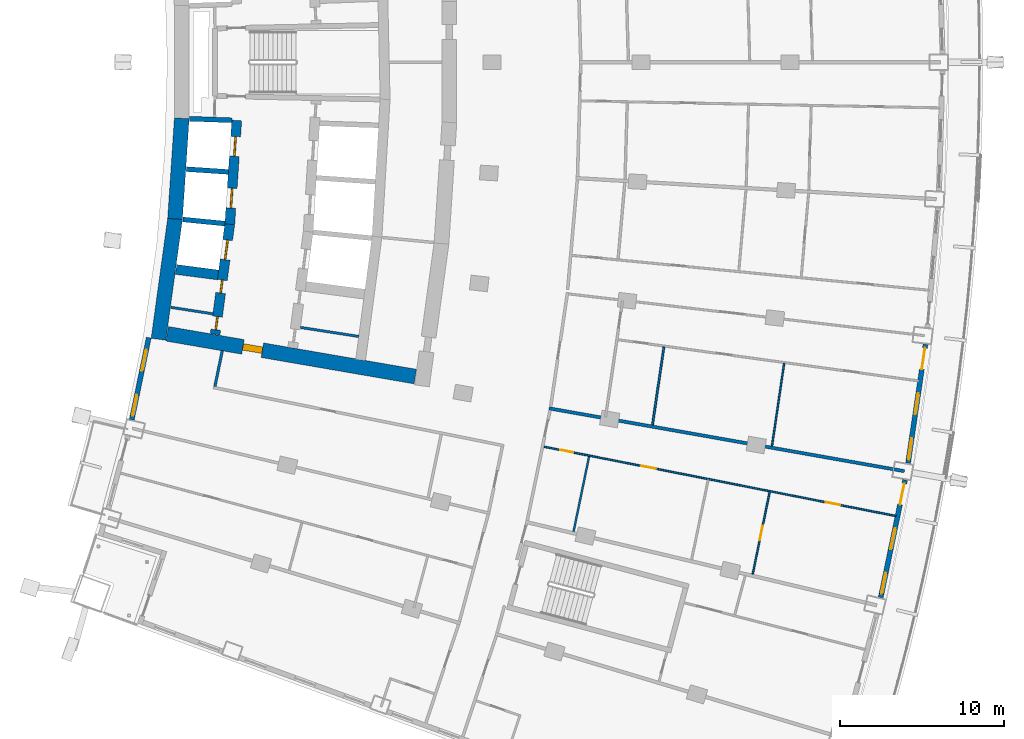
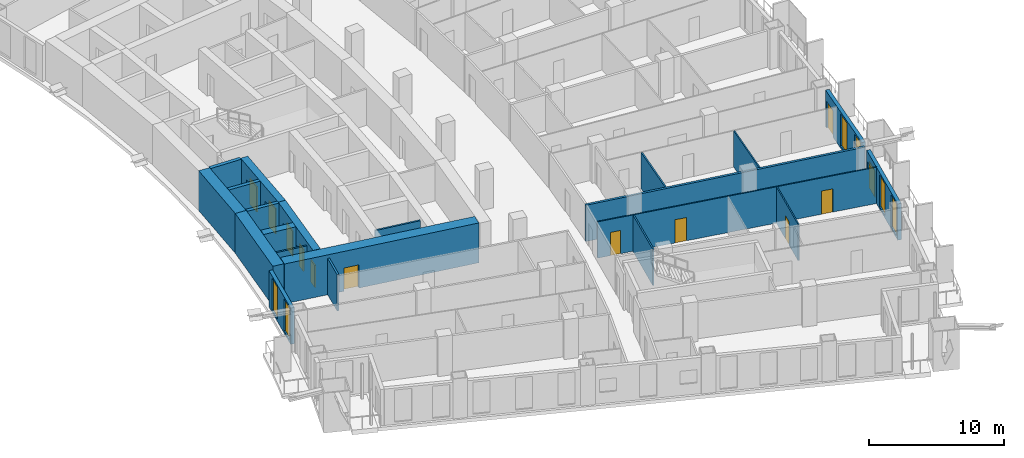
# One storey, part 12 of 22: 21 walls, 12 doors, 6 windows, 18 openings.
"""IFC4 building model written with IfcOpenShell, lengths in metres."""

import ifcopenshell
import ifcopenshell.guid

model = None  # the IFC model being written
_history = None  # IfcOwnerHistory: only IFC2X3 demands one
_inside = {}  # id of a spatial element -> (the spatial element, [elements in it])
_under = {}  # id of a project, library or spatial element -> (it, [spatial elements below it])
_declared = {}  # id of a project -> (the project, [libraries it declares])
_typed = {}  # id of a type object -> (the type object, [elements of that type])
_made_of = {}  # id of a material, layer set ... -> (it, [elements and type objects made of it])


def new_model(schema):
    """Start an empty IFC model of exactly this schema.

    Asked for "IFC4X3", IfcOpenShell would pick the latest addendum, in which some entities
    have other attributes; the version numbers below select the first issue.
    IFC2X3 requires an IfcOwnerHistory on every rooted entity: one is made here for all.
    """
    global model, _history
    if schema == "IFC4X3":
        model = ifcopenshell.file(schema_version=(4, 3, 0, 0))
    else:
        model = ifcopenshell.file(schema=schema)
    _inside.clear()
    _under.clear()
    _declared.clear()
    _typed.clear()
    _made_of.clear()
    _history = None
    if model.schema == "IFC2X3":
        org = make("IfcOrganization", Name="unknown")
        user = make(
            "IfcPersonAndOrganization",
            ThePerson=make("IfcPerson", FamilyName="unknown"),
            TheOrganization=org,
        )
        app = make(
            "IfcApplication",
            ApplicationDeveloper=org,
            Version="unknown",
            ApplicationFullName="unknown",
            ApplicationIdentifier="unknown",
        )
        _history = make(
            "IfcOwnerHistory",
            OwningUser=user,
            OwningApplication=app,
            ChangeAction="ADDED",
            CreationDate=0,
        )
    return model


def make(cls, **values):
    """One entity of the class cls with the attributes given. An attribute that is None is left unset."""
    return model.create_entity(
        cls, **{name: value for name, value in values.items() if value is not None}
    )


def rooted(cls, **values):
    """An entity with a GlobalId (a new one), such as an element, a storey or a relation."""
    return make(cls, GlobalId=ifcopenshell.guid.new(), OwnerHistory=_history, **values)


def si_unit(unit_type, name, prefix=None):
    """IfcSIUnit, for example si_unit("LENGTHUNIT", "METRE", prefix="MILLI")."""
    return make("IfcSIUnit", UnitType=unit_type, Prefix=prefix, Name=name)


def assignment(units):
    """IfcUnitAssignment: the units of a project."""
    return None if units is None else make("IfcUnitAssignment", Units=units)


def point(xyz):
    """IfcCartesianPoint."""
    return None if xyz is None else make("IfcCartesianPoint", Coordinates=xyz)


def direction(xyz):
    """IfcDirection."""
    return None if xyz is None else make("IfcDirection", DirectionRatios=xyz)


def frame(location, z_axis=None, x_axis=None):
    """IfcAxis2Placement3D, a coordinate frame: its origin and axes. An axis left out is left unset."""
    return make(
        "IfcAxis2Placement3D",
        Location=point(location),
        Axis=direction(z_axis),
        RefDirection=direction(x_axis),
    )


def frame_2d(location, x_axis=None):
    """IfcAxis2Placement2D, a coordinate frame in the plane: its origin and x axis."""
    return make(
        "IfcAxis2Placement2D", Location=point(location), RefDirection=direction(x_axis)
    )


def origin():
    """The frame at (0, 0, 0) with its axes left unset."""
    return frame((0.0, 0.0, 0.0))


def place(relative_to, where):
    """IfcLocalPlacement: puts the frame where relative to a parent placement (None: the world)."""
    return make(
        "IfcLocalPlacement", PlacementRelTo=relative_to, RelativePlacement=where
    )


def context(
    kind, dimensions, precision=None, world=None, true_north=None, identifier=None
):
    """IfcGeometricRepresentationContext, for example the 3D "Model" context."""
    return make(
        "IfcGeometricRepresentationContext",
        ContextIdentifier=identifier,
        ContextType=kind,
        CoordinateSpaceDimension=dimensions,
        Precision=precision,
        WorldCoordinateSystem=world,
        TrueNorth=true_north,
    )


def subcontext(parent, identifier, kind, view, scale=None):
    """IfcGeometricRepresentationSubContext, for example "Body" below "Model"."""
    return make(
        "IfcGeometricRepresentationSubContext",
        ContextIdentifier=identifier,
        ContextType=kind,
        ParentContext=parent,
        TargetScale=scale,
        TargetView=view,
    )


def project(units=None, contexts=None):
    """IfcProject with its units and contexts."""
    return rooted(
        "IfcProject",
        Name="project",
        RepresentationContexts=contexts,
        UnitsInContext=assignment(units),
    )


def spatial(cls, under=None, at=None, **own):
    """A site, building, storey or space (cls), placed at a placement, below another one or the project."""
    s = rooted(cls, ObjectPlacement=at, **own)
    if under is not None:
        _under.setdefault(under.id(), (under, []))[1].append(s)
    return s


def profile(cls, at=None, kind="AREA", **sizes):
    """A parametric profile (cls). Its sizes go by their IFC names, for example OverallWidth=200.0."""
    return make(cls, ProfileType=kind, Position=at, **sizes)


def rectangle(**sizes):
    """IfcRectangleProfileDef."""
    return profile("IfcRectangleProfileDef", **sizes)


def extrude(swept, where, along, depth):
    """IfcExtrudedAreaSolid: the profile swept, set in the frame where, extruded along a direction by depth."""
    return make(
        "IfcExtrudedAreaSolid",
        SweptArea=swept,
        Position=where,
        ExtrudedDirection=direction(along),
        Depth=depth,
    )


def shape(context_of_items, identifier, shape_type, items):
    """IfcShapeRepresentation: the items that make up one representation, for example the "Body"."""
    return make(
        "IfcShapeRepresentation",
        ContextOfItems=context_of_items,
        RepresentationIdentifier=identifier,
        RepresentationType=shape_type,
        Items=items,
    )


def material(Name=None, Category=None):
    """IfcMaterial."""
    return make("IfcMaterial", Name=Name, Category=Category)


def layer(
    of_material, thickness, ventilated=None, Name=None, Category=None, Priority=None
):
    """IfcMaterialLayer: one layer of a wall or slab, of a material (None: an air gap)."""
    return make(
        "IfcMaterialLayer",
        Material=of_material,
        LayerThickness=thickness,
        IsVentilated=ventilated,
        Name=Name,
        Category=Category,
        Priority=Priority,
    )


def layer_set(layers, Name=None):
    """IfcMaterialLayerSet."""
    return make("IfcMaterialLayerSet", MaterialLayers=layers, LayerSetName=Name)


def made_of(thing, what):
    """Note that an element or type object is made of a material, layer set ...; save() writes the relation."""
    if what is not None:
        _made_of.setdefault(what.id(), (what, []))[1].append(thing)
    return thing


def type_object(cls, material=None, **own):
    """A type object (cls), such as IfcWallType, which elements share."""
    return made_of(rooted(cls, **own), material)


def element(
    cls,
    number,
    at=None,
    inside=None,
    cuts=None,
    type_object=None,
    material=None,
    context=None,
    identifier="Body",
    shape_type=None,
    held_by="IfcProductDefinitionShape",
    body=None,
    shapes=None,
    **own,
):
    """One element of the class cls, such as IfcWall. Its Tag is "e" and its number.

    at: its placement. inside: the storey or other place that contains it. cuts: it is an
    opening in that element (IfcRelVoidsElement). A single representation is given by context,
    identifier, shape_type and body (its items); several are given by shapes. held_by: the class
    of the entity that holds the representations. save() writes the other relations.
    """
    e = rooted(cls, Tag="e%d" % number, ObjectPlacement=at, **own)
    if body is not None:
        shapes = [shape(context, identifier, shape_type, body)]
    if shapes is not None:
        e.Representation = make(held_by, Representations=shapes)
    if inside is not None:
        _inside.setdefault(inside.id(), (inside, []))[1].append(e)
    if cuts is not None:
        rooted(
            "IfcRelVoidsElement", RelatingBuildingElement=cuts, RelatedOpeningElement=e
        )
    if type_object is not None:
        _typed.setdefault(type_object.id(), (type_object, []))[1].append(e)
    return made_of(e, material)


def fill(opening, filler):
    """IfcRelFillsElement: the door or window that sits in an opening."""
    return rooted(
        "IfcRelFillsElement",
        RelatingOpeningElement=opening,
        RelatedBuildingElement=filler,
    )


def aggregate(whole, parts):
    """IfcRelAggregates: a whole, such as a stair, and the parts it consists of."""
    return rooted("IfcRelAggregates", RelatingObject=whole, RelatedObjects=parts)


def save(model, path):
    """Write the relations noted so far, then the file.

    IfcRelAggregates (storeys below a building ...), IfcRelContainedInSpatialStructure (elements
    in a storey), IfcRelDefinesByType, IfcRelAssociatesMaterial and IfcRelDeclares: one each for
    every whole, place, type object, material and project.
    """
    for whole, parts in _under.values():
        aggregate(whole, parts)
    for where, things in _inside.values():
        rooted(
            "IfcRelContainedInSpatialStructure",
            RelatedElements=things,
            RelatingStructure=where,
        )
    for kind, things in _typed.values():
        rooted("IfcRelDefinesByType", RelatedObjects=things, RelatingType=kind)
    for what, things in _made_of.values():
        rooted("IfcRelAssociatesMaterial", RelatedObjects=things, RelatingMaterial=what)
    for by, libraries in _declared.values():
        rooted("IfcRelDeclares", RelatingContext=by, RelatedDefinitions=libraries)
    model.write(path)


model = new_model("IFC4")

# Units and contexts
model_context = context("Model", 3, precision=1e-05, world=origin(), true_north=direction((0.0, 1.0)))
body_context = subcontext(model_context, "Body", "Model", "MODEL_VIEW")
ifc_project = project(units=[si_unit("LENGTHUNIT", "METRE"), si_unit("AREAUNIT", "SQUARE_METRE"), si_unit("VOLUMEUNIT", "CUBIC_METRE"), si_unit("PLANEANGLEUNIT", "RADIAN"), si_unit("MASSUNIT", "GRAM", prefix="KILO")], contexts=[model_context])

# Site, building, storey
site_placement = place(None, origin())
site = spatial("IfcSite", under=ifc_project, at=site_placement, CompositionType="ELEMENT")
building_placement = place(site_placement, origin())
building = spatial("IfcBuilding", under=site, at=building_placement, Name="Alderwake Tower", CompositionType="ELEMENT")
storey_placement = place(building_placement, frame((0.0, 0.0, 50.0)))
storey = spatial("IfcBuildingStorey", under=building, at=storey_placement, Name="L11", CompositionType="ELEMENT", Elevation=50.0)

# Walls
ifc_material_1 = material(Name="Gypsum shaft wall system, rated")
ifc_layer_1 = layer(ifc_material_1, 0.14990234375)
ifc_layer_set_1 = layer_set([ifc_layer_1], Name="Core room partition 150")
wall_type_1 = type_object("IfcWallType", Name="Core room partition 150", PredefinedType="PARTITIONING", material=ifc_layer_set_1)
wall_1_placement = place(storey_placement, frame((16.2216796875, 46.0673828125, 0.0), z_axis=(0.0, 0.0, 1.0), x_axis=(0.988167260949, -0.153380130356, 0.0)))
element("IfcWall", 1, at=wall_1_placement, inside=storey, type_object=wall_type_1, Name="CW/L11/PR-161_+0", PredefinedType="PARTITIONING", context=body_context, shape_type="SweptSolid", body=[
    extrude(rectangle(XDim=2.593017578125, YDim=0.14990234375, at=frame_2d((1.29638671875, 0.0))), origin(), (0.0, 0.0, 1.0), 3.280029296875),
])
wall_2_placement = place(storey_placement, frame((24.117431640625, 44.842041015625, 0.0), z_axis=(0.0, 0.0, 1.0), x_axis=(0.988173903359, -0.153337329832, 0.0)))
element("IfcWall", 2, at=wall_2_placement, inside=storey, type_object=wall_type_1, Name="CW/L11/PR-161_+86", PredefinedType="PARTITIONING", context=body_context, shape_type="SweptSolid", body=[
    extrude(rectangle(XDim=3.5966796875, YDim=0.14990234375, at=frame_2d((1.79833984375, 0.0))), origin(), (0.0, 0.0, 1.0), 3.280029296875),
])
ifc_material_2 = material(Name="Concrete C70/85", Category="concrete")
ifc_layer_2 = layer(ifc_material_2, 0.89990234375)
ifc_layer_set_2 = layer_set([ifc_layer_2], Name="Core wall outer 900 C70-85")
wall_type_2 = type_object("IfcWallType", Name="Core wall outer 900 C70-85", PredefinedType="SHEAR", material=ifc_layer_set_2)
wall_3_placement = place(storey_placement, frame((15.46923828125, 44.1201171875, 0.0), z_axis=(0.0, 0.0, 1.0), x_axis=(0.136337234661, 0.990662484626, 0.0)))
element("IfcWall", 3, at=wall_3_placement, inside=storey, type_object=wall_type_2, Name="Core wall CW.042", PredefinedType="SHEAR", context=body_context, shape_type="SweptSolid", body=[
    extrude(rectangle(XDim=7.431396484375, YDim=0.89990234375, at=frame_2d((3.7158203125, 0.0))), origin(), (0.0, 0.0, 1.0), 3.60009765625),
])
wall_4_placement = place(storey_placement, frame((16.47900390625, 51.449951171875, 0.0), z_axis=(0.0, 0.0, 1.0), x_axis=(0.06689316208, 0.997760143956, 0.0)))
element("IfcWall", 4, at=wall_4_placement, inside=storey, type_object=wall_type_2, Name="Core wall CW.041", PredefinedType="SHEAR", context=body_context, shape_type="SweptSolid", body=[
    extrude(rectangle(XDim=6.149658203125, YDim=0.89990234375, at=frame_2d((3.07470703125, 0.0))), origin(), (0.0, 0.0, 1.0), 3.60009765625),
])

# Wall, opening, door
wall_5_placement = place(storey_placement, frame((31.11328125, 41.846923828125, 0.0), z_axis=(0.0, 0.0, 1.0), x_axis=(-0.985466640605, 0.169869067972, 0.0)))
wall_5 = element("IfcWall", 5, at=wall_5_placement, inside=storey, type_object=wall_type_2, Name="Core wall CW.070", PredefinedType="SHEAR", context=body_context, shape_type="SweptSolid", body=[
    extrude(rectangle(XDim=15.336669921875, YDim=0.89990234375, at=frame_2d((7.66845703125, 0.0))), origin(), (0.0, 0.0, 1.0), 3.60009765625),
])
opening_1_placement = place(wall_5_placement, frame((9.451904296875, 0.0, 0.0)))
opening_1 = element("IfcOpeningElement", 6, at=opening_1_placement, cuts=wall_5, Name="Opening C003", PredefinedType="OPENING", context=body_context, shape_type="SweptSolid", body=[
    extrude(rectangle(XDim=1.199951171875, YDim=2.10009765625, at=frame_2d((0.60009765625, 1.050048828125))), frame((0.0, 0.4599609375, 0.0), z_axis=(0.0, -1.0, 0.0), x_axis=(1.0, 0.0, 0.0)), (0.0, 0.0, 1.0), 0.919921875),
])
ifc_material_3 = material(Name="Steel-framed fire door leaf", Category="steel")
door_type_1 = type_object("IfcDoorType", Name="Core lobby exit door 1200 fire-rated", OperationType="SINGLE_SWING_LEFT", PredefinedType="DOOR", material=ifc_material_3)
door_1_placement = place(opening_1_placement, origin())
door_1 = element("IfcDoor", 7, at=door_1_placement, inside=storey, type_object=door_type_1, Name="Lobby door", OperationType="SINGLE_SWING_LEFT", OverallHeight=2.10009765625, OverallWidth=1.199951171875, PredefinedType="DOOR", context=body_context, shape_type="SweptSolid", body=[
    extrude(rectangle(XDim=1.199951171875, YDim=2.10009765625, at=frame_2d((0.60009765625, 1.050048828125))), frame((0.0, 0.199951171875, 0.0), z_axis=(0.0, -1.0, 0.0), x_axis=(1.0, 0.0, 0.0)), (0.0, 0.0, 1.0), 0.39990234375),
])
fill(opening_1, door_1)

# Walls
ifc_material_4 = material(Name="Concrete C70/85", Category="concrete")
ifc_layer_3 = layer(ifc_material_4, 0.300048828125)
ifc_layer_set_3 = layer_set([ifc_layer_3], Name="Core wall shaft 300 C70-85")
wall_type_3 = type_object("IfcWallType", Name="Core wall shaft 300 C70-85", PredefinedType="SHEAR", material=ifc_layer_set_3)
wall_6_placement = place(storey_placement, frame((16.9580078125, 51.4189453125, 0.0), z_axis=(0.0, 0.0, 1.0), x_axis=(0.995153154577, -0.098337169657, 0.0)))
element("IfcWall", 8, at=wall_6_placement, inside=storey, type_object=wall_type_3, Name="Core wall CW.065", PredefinedType="SHEAR", context=body_context, shape_type="SweptSolid", body=[
    extrude(rectangle(XDim=2.569580078125, YDim=0.300048828125, at=frame_2d((1.28466796875, 0.0))), origin(), (0.0, 0.0, 1.0), 3.60009765625),
])
wall_7_placement = place(storey_placement, frame((17.16357421875, 54.486083984375, 0.0), z_axis=(0.0, 0.0, 1.0), x_axis=(0.997758581961, -0.066916456292, 0.0)))
element("IfcWall", 9, at=wall_7_placement, inside=storey, type_object=wall_type_3, Name="Core wall CW.079", PredefinedType="SHEAR", context=body_context, shape_type="SweptSolid", body=[
    extrude(rectangle(XDim=2.568603515625, YDim=0.300048828125, at=frame_2d((1.2841796875, 0.0))), origin(), (0.0, 0.0, 1.0), 3.60009765625),
])
wall_8_placement = place(storey_placement, frame((17.369140625, 57.553466796875, 0.0), z_axis=(0.0, 0.0, 1.0), x_axis=(0.99937189907, -0.035437372217, 0.0)))
element("IfcWall", 10, at=wall_8_placement, inside=storey, type_object=wall_type_3, Name="Core wall CW.076", PredefinedType="SHEAR", context=body_context, shape_type="SweptSolid", body=[
    extrude(rectangle(XDim=2.56982421875, YDim=0.300048828125, at=frame_2d((1.284912109375, 0.0))), origin(), (0.0, 0.0, 1.0), 3.60009765625),
])

# Wall, openings, doors
ifc_material_5 = material(Name="Concrete C70/85", Category="concrete")
ifc_layer_4 = layer(ifc_material_5, 0.60009765625)
ifc_layer_set_4 = layer_set([ifc_layer_4], Name="Core wall spine 600 C70-85")
wall_type_4 = type_object("IfcWallType", Name="Core wall spine 600 C70-85", PredefinedType="SHEAR", material=ifc_layer_set_4)
wall_9_placement = place(storey_placement, frame((19.815185546875, 51.14697265625, 0.0), z_axis=(0.0, 0.0, 1.0), x_axis=(-0.131854836214, -0.991269036219, 0.0)))
wall_9 = element("IfcWall", 11, at=wall_9_placement, inside=storey, type_object=wall_type_4, Name="Core wall CW.033", PredefinedType="SHEAR", context=body_context, shape_type="SweptSolid", body=[
    extrude(rectangle(XDim=6.782470703125, YDim=0.60009765625, at=frame_2d((3.39111328125, 0.0))), origin(), (0.0, 0.0, 1.0), 3.60009765625),
])
opening_2_placement = place(wall_9_placement, frame((0.9921875, 0.0, 0.0)))
opening_2 = element("IfcOpeningElement", 12, at=opening_2_placement, cuts=wall_9, Name="Opening LD-LP1", PredefinedType="OPENING", context=body_context, shape_type="SweptSolid", body=[
    extrude(rectangle(XDim=1.199951171875, YDim=2.300048828125, at=frame_2d((0.60009765625, 1.14990234375))), frame((0.0, 0.31005859375, 0.0), z_axis=(0.0, -1.0, 0.0), x_axis=(1.0, 0.0, 0.0)), (0.0, 0.0, 1.0), 0.6201171875),
])
opening_3_placement = place(wall_9_placement, frame((5.699951171875, 0.0, 0.0)))
opening_3 = element("IfcOpeningElement", 13, at=opening_3_placement, cuts=wall_9, Name="Opening C009", PredefinedType="OPENING", context=body_context, shape_type="SweptSolid", body=[
    extrude(rectangle(XDim=0.800048828125, YDim=2.0, at=frame_2d((0.39990234375, 1.0))), frame((0.0, 0.31005859375, 0.0), z_axis=(0.0, -1.0, 0.0), x_axis=(1.0, 0.0, 0.0)), (0.0, 0.0, 1.0), 0.6201171875),
])
opening_4_placement = place(wall_9_placement, frame((3.4462890625, 0.0, 0.0)))
opening_4 = element("IfcOpeningElement", 14, at=opening_4_placement, cuts=wall_9, Name="Opening C010", PredefinedType="OPENING", context=body_context, shape_type="SweptSolid", body=[
    extrude(rectangle(XDim=0.800048828125, YDim=2.0, at=frame_2d((0.39990234375, 1.0))), frame((0.0, 0.31005859375, 0.0), z_axis=(0.0, -1.0, 0.0), x_axis=(1.0, 0.0, 0.0)), (0.0, 0.0, 1.0), 0.6201171875),
])
ifc_material_6 = material(Name="Stainless steel sliding leaf", Category="steel")
door_type_2 = type_object("IfcDoorType", Name="Lift landing door 1200", OperationType="SLIDING_TO_LEFT", PredefinedType="DOOR", material=ifc_material_6)
door_2_placement = place(opening_2_placement, origin())
door_2 = element("IfcDoor", 15, at=door_2_placement, inside=storey, type_object=door_type_2, Name="Lift landing door LP1", OperationType="SLIDING_TO_LEFT", OverallHeight=2.300048828125, OverallWidth=1.199951171875, PredefinedType="DOOR", context=body_context, shape_type="SweptSolid", body=[
    extrude(rectangle(XDim=1.199951171875, YDim=2.300048828125, at=frame_2d((0.60009765625, 1.14990234375))), frame((0.0, 0.050048828125, 0.0), z_axis=(0.0, -1.0, 0.0), x_axis=(1.0, 0.0, 0.0)), (0.0, 0.0, 1.0), 0.10009765625),
])
fill(opening_2, door_2)
ifc_material_7 = material(Name="Painted steel leaf, rated", Category="steel")
door_type_3 = type_object("IfcDoorType", Name="Riser access door 800", OperationType="SINGLE_SWING_LEFT", PredefinedType="DOOR", material=ifc_material_7)
door_3_placement = place(opening_3_placement, origin())
door_3 = element("IfcDoor", 16, at=door_3_placement, inside=storey, type_object=door_type_3, Name="Riser access door", OperationType="SINGLE_SWING_LEFT", OverallHeight=2.0, OverallWidth=0.800048828125, PredefinedType="DOOR", context=body_context, shape_type="SweptSolid", body=[
    extrude(rectangle(XDim=0.800048828125, YDim=2.0, at=frame_2d((0.39990234375, 1.0))), frame((0.0, 0.050048828125, 0.0), z_axis=(0.0, -1.0, 0.0), x_axis=(1.0, 0.0, 0.0)), (0.0, 0.0, 1.0), 0.10009765625),
])
fill(opening_3, door_3)
door_4_placement = place(opening_4_placement, origin())
door_4 = element("IfcDoor", 17, at=door_4_placement, inside=storey, type_object=door_type_3, Name="Riser access door", OperationType="SINGLE_SWING_RIGHT", OverallHeight=2.0, OverallWidth=0.800048828125, PredefinedType="DOOR", context=body_context, shape_type="SweptSolid", body=[
    extrude(rectangle(XDim=0.800048828125, YDim=2.0, at=frame_2d((0.39990234375, 1.0))), frame((0.0, 0.050048828125, 0.0), z_axis=(0.0, -1.0, 0.0), x_axis=(1.0, 0.0, 0.0)), (0.0, 0.0, 1.0), 0.10009765625),
])
fill(opening_4, door_4)

wall_10_placement = place(storey_placement, frame((19.813232421875, 51.12646484375, 0.0), z_axis=(0.0, 0.0, 1.0), x_axis=(0.066892179723, 0.997760209816, 0.0)))
wall_10 = element("IfcWall", 18, at=wall_10_placement, inside=storey, type_object=wall_type_4, Name="Core wall CW.032", PredefinedType="SHEAR", context=body_context, shape_type="SweptSolid", body=[
    extrude(rectangle(XDim=6.339599609375, YDim=0.60009765625, at=frame_2d((3.169921875, 0.0))), origin(), (0.0, 0.0, 1.0), 3.60009765625),
])
opening_5_placement = place(wall_10_placement, frame((0.992431640625, 0.0, 0.0)))
opening_5 = element("IfcOpeningElement", 19, at=opening_5_placement, cuts=wall_10, Name="Opening LD-LP2", PredefinedType="OPENING", context=body_context, shape_type="SweptSolid", body=[
    extrude(rectangle(XDim=1.199951171875, YDim=2.300048828125, at=frame_2d((0.60009765625, 1.14990234375))), frame((0.0, 0.31005859375, 0.0), z_axis=(0.0, -1.0, 0.0), x_axis=(1.0, 0.0, 0.0)), (0.0, 0.0, 1.0), 0.6201171875),
])
opening_6_placement = place(wall_10_placement, frame((4.157470703125, 0.0, 0.0)))
opening_6 = element("IfcOpeningElement", 20, at=opening_6_placement, cuts=wall_10, Name="Opening LD-LP3", PredefinedType="OPENING", context=body_context, shape_type="SweptSolid", body=[
    extrude(rectangle(XDim=1.199951171875, YDim=2.300048828125, at=frame_2d((0.60009765625, 1.14990234375))), frame((0.0, 0.31005859375, 0.0), z_axis=(0.0, -1.0, 0.0), x_axis=(1.0, 0.0, 0.0)), (0.0, 0.0, 1.0), 0.6201171875),
])
door_5_placement = place(opening_5_placement, origin())
door_5 = element("IfcDoor", 21, at=door_5_placement, inside=storey, type_object=door_type_2, Name="Lift landing door LP2", OperationType="SLIDING_TO_LEFT", OverallHeight=2.300048828125, OverallWidth=1.199951171875, PredefinedType="DOOR", context=body_context, shape_type="SweptSolid", body=[
    extrude(rectangle(XDim=1.199951171875, YDim=2.300048828125, at=frame_2d((0.60009765625, 1.14990234375))), frame((0.0, 0.050048828125, 0.0), z_axis=(0.0, -1.0, 0.0), x_axis=(1.0, 0.0, 0.0)), (0.0, 0.0, 1.0), 0.10009765625),
])
fill(opening_5, door_5)
door_6_placement = place(opening_6_placement, origin())
door_6 = element("IfcDoor", 22, at=door_6_placement, inside=storey, type_object=door_type_2, Name="Lift landing door LP3", OperationType="SLIDING_TO_LEFT", OverallHeight=2.300048828125, OverallWidth=1.199951171875, PredefinedType="DOOR", context=body_context, shape_type="SweptSolid", body=[
    extrude(rectangle(XDim=1.199951171875, YDim=2.300048828125, at=frame_2d((0.60009765625, 1.14990234375))), frame((0.0, 0.050048828125, 0.0), z_axis=(0.0, -1.0, 0.0), x_axis=(1.0, 0.0, 0.0)), (0.0, 0.0, 1.0), 0.10009765625),
])
fill(opening_6, door_6)

# Walls
wall_11_placement = place(storey_placement, frame((16.5390625, 48.373291015625, 0.0), z_axis=(0.0, 0.0, 1.0), x_axis=(0.99156081818, -0.129642369037, 0.0)))
element("IfcWall", 23, at=wall_11_placement, inside=storey, type_object=wall_type_4, Name="Core wall CW.067", PredefinedType="SHEAR", context=body_context, shape_type="SweptSolid", body=[
    extrude(rectangle(XDim=2.581787109375, YDim=0.60009765625, at=frame_2d((1.291015625, 0.0))), origin(), (0.0, 0.0, 1.0), 3.60009765625),
])
ifc_material_8 = material(Name="Gypsum board on metal studs, rated")
ifc_layer_5 = layer(ifc_material_8, 0.159912109375)
ifc_layer_set_5 = layer_set([ifc_layer_5], Name="Corridor wall 160")
wall_type_5 = type_object("IfcWallType", Name="Corridor wall 160", PredefinedType="PARTITIONING", material=ifc_layer_set_5)
wall_12_placement = place(storey_placement, frame((19.35888671875, 43.430908203125, 0.0), z_axis=(0.0, 0.0, 1.0), x_axis=(-0.202554916658, -0.979270905183, 0.0)))
element("IfcWall", 24, at=wall_12_placement, inside=storey, type_object=wall_type_5, Name="WL/L11/W17", PredefinedType="PARTITIONING", context=body_context, shape_type="SweptSolid", body=[
    extrude(rectangle(XDim=2.229736328125, YDim=0.159912109375, at=frame_2d((1.11474609375, 0.0))), origin(), (0.0, 0.0, 1.0), 3.280029296875),
])

# Wall, openings, door, windows
ifc_material_9 = material(Name="Precast concrete C50/60 spandrel panel", Category="concrete")
ifc_layer_6 = layer(ifc_material_9, 0.300048828125)
ifc_layer_set_6 = layer_set([ifc_layer_6], Name="External wall EW1 Precast concrete C50/60 spandrel")
wall_type_6 = type_object("IfcWallType", Name="External wall EW1 Precast concrete C50/60 spandrel", PredefinedType="SOLIDWALL", material=ifc_layer_set_6)
wall_13_placement = place(storey_placement, frame((59.474365234375, 28.39111328125, 0.0), z_axis=(0.0, 0.0, 1.0), x_axis=(0.202769138353, 0.979226570581, 0.0)))
wall_13 = element("IfcWall", 25, at=wall_13_placement, inside=storey, type_object=wall_type_6, Name="External wall 13", PredefinedType="SOLIDWALL", context=body_context, shape_type="SweptSolid", body=[
    extrude(rectangle(XDim=7.30615234375, YDim=0.300048828125, at=frame_2d((3.653076171875, 0.0))), origin(), (0.0, 0.0, 1.0), 3.280029296875),
])
opening_7_placement = place(wall_13_placement, frame((0.222900390625, 0.0, 0.199951171875)))
opening_7 = element("IfcOpeningElement", 26, at=opening_7_placement, cuts=wall_13, Name="Opening W1", PredefinedType="OPENING", context=body_context, shape_type="SweptSolid", body=[
    extrude(rectangle(XDim=1.300048828125, YDim=2.89990234375, at=frame_2d((0.64990234375, 1.449951171875))), frame((0.0, 0.159912109375, 0.0), z_axis=(0.0, -1.0, 0.0), x_axis=(1.0, 0.0, 0.0)), (0.0, 0.0, 1.0), 0.320068359375),
])
opening_8_placement = place(wall_13_placement, frame((3.0029296875, 0.0, 0.199951171875)))
opening_8 = element("IfcOpeningElement", 27, at=opening_8_placement, cuts=wall_13, Name="Opening W1", PredefinedType="OPENING", context=body_context, shape_type="SweptSolid", body=[
    extrude(rectangle(XDim=1.300048828125, YDim=2.89990234375, at=frame_2d((0.64990234375, 1.449951171875))), frame((0.0, 0.159912109375, 0.0), z_axis=(0.0, -1.0, 0.0), x_axis=(1.0, 0.0, 0.0)), (0.0, 0.0, 1.0), 0.320068359375),
])
opening_9_placement = place(wall_13_placement, frame((5.783203125, 0.0, 0.0)))
opening_9 = element("IfcOpeningElement", 28, at=opening_9_placement, cuts=wall_13, Name="Opening D04", PredefinedType="OPENING", context=body_context, shape_type="SweptSolid", body=[
    extrude(rectangle(XDim=1.300048828125, YDim=2.39990234375, at=frame_2d((0.64990234375, 1.199951171875))), frame((0.0, 0.159912109375, 0.0), z_axis=(0.0, -1.0, 0.0), x_axis=(1.0, 0.0, 0.0)), (0.0, 0.0, 1.0), 0.320068359375),
])
ifc_material_10 = material(Name="Bronze tinted glass in aluminium frame", Category="aluminium")
door_type_4 = type_object("IfcDoorType", Name="Balcony door BD sliding", OperationType="SLIDING_TO_LEFT", PredefinedType="DOOR", material=ifc_material_10)
door_7_placement = place(opening_9_placement, origin())
door_7 = element("IfcDoor", 29, at=door_7_placement, inside=storey, type_object=door_type_4, Name="Door D04", OperationType="SLIDING_TO_LEFT", OverallHeight=2.39990234375, OverallWidth=1.300048828125, PredefinedType="DOOR", context=body_context, shape_type="SweptSolid", body=[
    extrude(rectangle(XDim=1.300048828125, YDim=2.39990234375, at=frame_2d((0.64990234375, 1.199951171875))), frame((0.0, 0.02490234375, 0.0), z_axis=(0.0, -1.0, 0.0), x_axis=(1.0, 0.0, 0.0)), (0.0, 0.0, 1.0), 0.050048828125),
])
fill(opening_9, door_7)
ifc_material_11 = material(Name="Bronze tinted glass in aluminium frame", Category="aluminium")
window_type = type_object("IfcWindowType", Name="Window W1 tall fixed and vent", PartitioningType="DOUBLE_PANEL_VERTICAL", PredefinedType="WINDOW", material=ifc_material_11)
window_1_placement = place(opening_7_placement, origin())
window_1 = element("IfcWindow", 30, at=window_1_placement, inside=storey, type_object=window_type, Name="Window W1 tall fixed and vent", OverallHeight=2.89990234375, OverallWidth=1.300048828125, PartitioningType="DOUBLE_PANEL_VERTICAL", PredefinedType="WINDOW", context=body_context, shape_type="SweptSolid", body=[
    extrude(rectangle(XDim=1.300048828125, YDim=2.89990234375, at=frame_2d((0.64990234375, 1.449951171875))), frame((0.0, 0.030029296875, 0.0), z_axis=(0.0, -1.0, 0.0), x_axis=(1.0, 0.0, 0.0)), (0.0, 0.0, 1.0), 0.06005859375),
])
fill(opening_7, window_1)
window_2_placement = place(opening_8_placement, origin())
window_2 = element("IfcWindow", 31, at=window_2_placement, inside=storey, type_object=window_type, Name="Window W1 tall fixed and vent", OverallHeight=2.89990234375, OverallWidth=1.300048828125, PartitioningType="DOUBLE_PANEL_VERTICAL", PredefinedType="WINDOW", context=body_context, shape_type="SweptSolid", body=[
    extrude(rectangle(XDim=1.300048828125, YDim=2.89990234375, at=frame_2d((0.64990234375, 1.449951171875))), frame((0.0, 0.030029296875, 0.0), z_axis=(0.0, -1.0, 0.0), x_axis=(1.0, 0.0, 0.0)), (0.0, 0.0, 1.0), 0.06005859375),
])
fill(opening_8, window_2)

wall_14_placement = place(storey_placement, frame((61.13818359375, 36.577880859375, 0.0), z_axis=(0.0, 0.0, 1.0), x_axis=(0.145326596696, 0.989383737633, 0.0)))
wall_14 = element("IfcWall", 32, at=wall_14_placement, inside=storey, type_object=wall_type_6, Name="External wall 14", PredefinedType="SOLIDWALL", context=body_context, shape_type="SweptSolid", body=[
    extrude(rectangle(XDim=7.30615234375, YDim=0.300048828125, at=frame_2d((3.653076171875, 0.0))), origin(), (0.0, 0.0, 1.0), 3.280029296875),
])
opening_10_placement = place(wall_14_placement, frame((0.222900390625, 0.0, 0.199951171875)))
opening_10 = element("IfcOpeningElement", 33, at=opening_10_placement, cuts=wall_14, Name="Opening W1", PredefinedType="OPENING", context=body_context, shape_type="SweptSolid", body=[
    extrude(rectangle(XDim=1.300048828125, YDim=2.89990234375, at=frame_2d((0.64990234375, 1.449951171875))), frame((0.0, 0.159912109375, 0.0), z_axis=(0.0, -1.0, 0.0), x_axis=(1.0, 0.0, 0.0)), (0.0, 0.0, 1.0), 0.320068359375),
])
opening_11_placement = place(wall_14_placement, frame((3.0029296875, 0.0, 0.199951171875)))
opening_11 = element("IfcOpeningElement", 34, at=opening_11_placement, cuts=wall_14, Name="Opening W1", PredefinedType="OPENING", context=body_context, shape_type="SweptSolid", body=[
    extrude(rectangle(XDim=1.300048828125, YDim=2.89990234375, at=frame_2d((0.64990234375, 1.449951171875))), frame((0.0, 0.159912109375, 0.0), z_axis=(0.0, -1.0, 0.0), x_axis=(1.0, 0.0, 0.0)), (0.0, 0.0, 1.0), 0.320068359375),
])
opening_12_placement = place(wall_14_placement, frame((5.783203125, 0.0, 0.0)))
opening_12 = element("IfcOpeningElement", 35, at=opening_12_placement, cuts=wall_14, Name="Opening D05", PredefinedType="OPENING", context=body_context, shape_type="SweptSolid", body=[
    extrude(rectangle(XDim=1.300048828125, YDim=2.39990234375, at=frame_2d((0.64990234375, 1.199951171875))), frame((0.0, 0.159912109375, 0.0), z_axis=(0.0, -1.0, 0.0), x_axis=(1.0, 0.0, 0.0)), (0.0, 0.0, 1.0), 0.320068359375),
])
door_8_placement = place(opening_12_placement, origin())
door_8 = element("IfcDoor", 36, at=door_8_placement, inside=storey, type_object=door_type_4, Name="Door D05", OperationType="SLIDING_TO_LEFT", OverallHeight=2.39990234375, OverallWidth=1.300048828125, PredefinedType="DOOR", context=body_context, shape_type="SweptSolid", body=[
    extrude(rectangle(XDim=1.300048828125, YDim=2.39990234375, at=frame_2d((0.64990234375, 1.199951171875))), frame((0.0, 0.02490234375, 0.0), z_axis=(0.0, -1.0, 0.0), x_axis=(1.0, 0.0, 0.0)), (0.0, 0.0, 1.0), 0.050048828125),
])
fill(opening_12, door_8)
window_3_placement = place(opening_10_placement, origin())
window_3 = element("IfcWindow", 37, at=window_3_placement, inside=storey, type_object=window_type, Name="Window W1 tall fixed and vent", OverallHeight=2.89990234375, OverallWidth=1.300048828125, PartitioningType="DOUBLE_PANEL_VERTICAL", PredefinedType="WINDOW", context=body_context, shape_type="SweptSolid", body=[
    extrude(rectangle(XDim=1.300048828125, YDim=2.89990234375, at=frame_2d((0.64990234375, 1.449951171875))), frame((0.0, 0.030029296875, 0.0), z_axis=(0.0, -1.0, 0.0), x_axis=(1.0, 0.0, 0.0)), (0.0, 0.0, 1.0), 0.06005859375),
])
fill(opening_10, window_3)
window_4_placement = place(opening_11_placement, origin())
window_4 = element("IfcWindow", 38, at=window_4_placement, inside=storey, type_object=window_type, Name="Window W1 tall fixed and vent", OverallHeight=2.89990234375, OverallWidth=1.300048828125, PartitioningType="DOUBLE_PANEL_VERTICAL", PredefinedType="WINDOW", context=body_context, shape_type="SweptSolid", body=[
    extrude(rectangle(XDim=1.300048828125, YDim=2.89990234375, at=frame_2d((0.64990234375, 1.449951171875))), frame((0.0, 0.030029296875, 0.0), z_axis=(0.0, -1.0, 0.0), x_axis=(1.0, 0.0, 0.0)), (0.0, 0.0, 1.0), 0.06005859375),
])
fill(opening_11, window_4)

# Wall, openings, windows
wall_15_placement = place(storey_placement, frame((14.878173828125, 44.223388671875, 0.0), z_axis=(0.0, 0.0, 1.0), x_axis=(-0.202738354746, -0.979232944459, 0.0)))
wall_15 = element("IfcWall", 39, at=wall_15_placement, inside=storey, type_object=wall_type_6, Name="External wall 35", PredefinedType="SOLIDWALL", context=body_context, shape_type="SweptSolid", body=[
    extrude(rectangle(XDim=5.1083984375, YDim=0.300048828125, at=frame_2d((2.55419921875, 0.0))), origin(), (0.0, 0.0, 1.0), 3.280029296875),
])
opening_13_placement = place(wall_15_placement, frame((0.75634765625, 0.0, 0.199951171875)))
opening_13 = element("IfcOpeningElement", 40, at=opening_13_placement, cuts=wall_15, Name="Opening W1", PredefinedType="OPENING", context=body_context, shape_type="SweptSolid", body=[
    extrude(rectangle(XDim=1.300048828125, YDim=2.89990234375, at=frame_2d((0.64990234375, 1.449951171875))), frame((0.0, 0.159912109375, 0.0), z_axis=(0.0, -1.0, 0.0), x_axis=(1.0, 0.0, 0.0)), (0.0, 0.0, 1.0), 0.320068359375),
])
opening_14_placement = place(wall_15_placement, frame((3.569091796875, 0.0, 0.199951171875)))
opening_14 = element("IfcOpeningElement", 41, at=opening_14_placement, cuts=wall_15, Name="Opening W1", PredefinedType="OPENING", context=body_context, shape_type="SweptSolid", body=[
    extrude(rectangle(XDim=1.300048828125, YDim=2.89990234375, at=frame_2d((0.64990234375, 1.449951171875))), frame((0.0, 0.159912109375, 0.0), z_axis=(0.0, -1.0, 0.0), x_axis=(1.0, 0.0, 0.0)), (0.0, 0.0, 1.0), 0.320068359375),
])
window_5_placement = place(opening_13_placement, origin())
window_5 = element("IfcWindow", 42, at=window_5_placement, inside=storey, type_object=window_type, Name="Window W1 tall fixed and vent", OverallHeight=2.89990234375, OverallWidth=1.300048828125, PartitioningType="DOUBLE_PANEL_VERTICAL", PredefinedType="WINDOW", context=body_context, shape_type="SweptSolid", body=[
    extrude(rectangle(XDim=1.300048828125, YDim=2.89990234375, at=frame_2d((0.64990234375, 1.449951171875))), frame((0.0, 0.030029296875, 0.0), z_axis=(0.0, -1.0, 0.0), x_axis=(1.0, 0.0, 0.0)), (0.0, 0.0, 1.0), 0.06005859375),
])
fill(opening_13, window_5)
window_6_placement = place(opening_14_placement, origin())
window_6 = element("IfcWindow", 43, at=window_6_placement, inside=storey, type_object=window_type, Name="Window W1 tall fixed and vent", OverallHeight=2.89990234375, OverallWidth=1.300048828125, PartitioningType="DOUBLE_PANEL_VERTICAL", PredefinedType="WINDOW", context=body_context, shape_type="SweptSolid", body=[
    extrude(rectangle(XDim=1.300048828125, YDim=2.89990234375, at=frame_2d((0.64990234375, 1.449951171875))), frame((0.0, 0.030029296875, 0.0), z_axis=(0.0, -1.0, 0.0), x_axis=(1.0, 0.0, 0.0)), (0.0, 0.0, 1.0), 0.06005859375),
])
fill(opening_14, window_6)

# Wall
ifc_material_12 = material(Name="Dense block masonry wall", Category="masonry")
ifc_layer_7 = layer(ifc_material_12, 0.199951171875)
ifc_layer_set_7 = layer_set([ifc_layer_7], Name="Party wall 200")
wall_type_7 = type_object("IfcWallType", Name="Party wall 200", PredefinedType="SOLIDWALL", material=ifc_layer_set_7)
wall_16_placement = place(storey_placement, frame((60.9150390625, 36.083984375, 0.0), z_axis=(0.0, 0.0, 1.0), x_axis=(-0.984728497917, 0.174097057385, 0.0)))
element("IfcWall", 44, at=wall_16_placement, inside=storey, type_object=wall_type_7, Name="WL/L11/W08", PredefinedType="SOLIDWALL", context=body_context, shape_type="SweptSolid", body=[
    extrude(rectangle(XDim=21.9814453125, YDim=0.199951171875, at=frame_2d((10.99072265625, 0.0))), origin(), (0.0, 0.0, 1.0), 3.280029296875),
])

# Wall, openings, doors
ifc_material_13 = material(Name="Gypsum board on metal studs")
ifc_layer_8 = layer(ifc_material_13, 0.10009765625)
ifc_layer_set_8 = layer_set([ifc_layer_8], Name="Unit partition 100")
wall_type_8 = type_object("IfcWallType", Name="Unit partition 100", PredefinedType="PARTITIONING", material=ifc_layer_set_8)
wall_17_placement = place(storey_placement, frame((60.39892578125, 33.35107421875, 0.0), z_axis=(0.0, 0.0, 1.0), x_axis=(-0.981161329004, 0.193190182119, 0.0)))
wall_17 = element("IfcWall", 45, at=wall_17_placement, inside=storey, type_object=wall_type_8, Name="WL/L11/W66", PredefinedType="PARTITIONING", context=body_context, shape_type="SweptSolid", body=[
    extrude(rectangle(XDim=21.861328125, YDim=0.10009765625, at=frame_2d((10.9306640625, 0.0))), origin(), (0.0, 0.0, 1.0), 3.280029296875),
])
opening_15_placement = place(wall_17_placement, frame((14.896728515625, 0.0, 0.0)))
opening_15 = element("IfcOpeningElement", 46, at=opening_15_placement, cuts=wall_17, Name="Opening R02-U05.1", PredefinedType="OPENING", context=body_context, shape_type="SweptSolid", body=[
    extrude(rectangle(XDim=0.89990234375, YDim=2.10009765625, at=frame_2d((0.449951171875, 1.050048828125))), frame((0.0, 0.06005859375, 0.0), z_axis=(0.0, -1.0, 0.0), x_axis=(1.0, 0.0, 0.0)), (0.0, 0.0, 1.0), 0.1201171875),
])
opening_16_placement = place(wall_17_placement, frame((20.052001953125, 0.0, 0.0)))
opening_16 = element("IfcOpeningElement", 47, at=opening_16_placement, cuts=wall_17, Name="Opening R02-U05.4", PredefinedType="OPENING", context=body_context, shape_type="SweptSolid", body=[
    extrude(rectangle(XDim=0.800048828125, YDim=2.10009765625, at=frame_2d((0.39990234375, 1.050048828125))), frame((0.0, 0.06005859375, 0.0), z_axis=(0.0, -1.0, 0.0), x_axis=(1.0, 0.0, 0.0)), (0.0, 0.0, 1.0), 0.1201171875),
])
opening_17_placement = place(wall_17_placement, frame((3.465087890625, 0.0, 0.0)))
opening_17 = element("IfcOpeningElement", 48, at=opening_17_placement, cuts=wall_17, Name="Opening R02-U05.5", PredefinedType="OPENING", context=body_context, shape_type="SweptSolid", body=[
    extrude(rectangle(XDim=0.89990234375, YDim=2.10009765625, at=frame_2d((0.449951171875, 1.050048828125))), frame((0.0, 0.06005859375, 0.0), z_axis=(0.0, -1.0, 0.0), x_axis=(1.0, 0.0, 0.0)), (0.0, 0.0, 1.0), 0.1201171875),
])
ifc_material_14 = material(Name="Painted timber leaf", Category="wood")
door_type_5 = type_object("IfcDoorType", Name="Bathroom door 800", OperationType="SINGLE_SWING_LEFT", PredefinedType="DOOR", material=ifc_material_14)
door_9_placement = place(opening_16_placement, origin())
door_9 = element("IfcDoor", 49, at=door_9_placement, inside=storey, type_object=door_type_5, Name="DR/L11/U05.4", OperationType="SINGLE_SWING_LEFT", OverallHeight=2.10009765625, OverallWidth=0.800048828125, PredefinedType="DOOR", context=body_context, shape_type="SweptSolid", body=[
    extrude(rectangle(XDim=0.800048828125, YDim=2.10009765625, at=frame_2d((0.39990234375, 1.050048828125))), frame((0.0, 0.02490234375, 0.0), z_axis=(0.0, -1.0, 0.0), x_axis=(1.0, 0.0, 0.0)), (0.0, 0.0, 1.0), 0.050048828125),
])
fill(opening_16, door_9)
ifc_material_15 = material(Name="Painted timber leaf", Category="wood")
door_type_6 = type_object("IfcDoorType", Name="Room door 900", OperationType="SINGLE_SWING_LEFT", PredefinedType="DOOR", material=ifc_material_15)
door_10_placement = place(opening_15_placement, origin())
door_10 = element("IfcDoor", 50, at=door_10_placement, inside=storey, type_object=door_type_6, Name="DR/L11/U05.1", OperationType="SINGLE_SWING_LEFT", OverallHeight=2.10009765625, OverallWidth=0.89990234375, PredefinedType="DOOR", context=body_context, shape_type="SweptSolid", body=[
    extrude(rectangle(XDim=0.89990234375, YDim=2.10009765625, at=frame_2d((0.449951171875, 1.050048828125))), frame((0.0, 0.02490234375, 0.0), z_axis=(0.0, -1.0, 0.0), x_axis=(1.0, 0.0, 0.0)), (0.0, 0.0, 1.0), 0.050048828125),
])
fill(opening_15, door_10)
door_11_placement = place(opening_17_placement, origin())
door_11 = element("IfcDoor", 51, at=door_11_placement, inside=storey, type_object=door_type_6, Name="DR/L11/U05.5", OperationType="SINGLE_SWING_LEFT", OverallHeight=2.10009765625, OverallWidth=0.89990234375, PredefinedType="DOOR", context=body_context, shape_type="SweptSolid", body=[
    extrude(rectangle(XDim=0.89990234375, YDim=2.10009765625, at=frame_2d((0.449951171875, 1.050048828125))), frame((0.0, 0.02490234375, 0.0), z_axis=(0.0, -1.0, 0.0), x_axis=(1.0, 0.0, 0.0)), (0.0, 0.0, 1.0), 0.050048828125),
])
fill(opening_17, door_11)

# Wall, opening, door
wall_18_placement = place(storey_placement, frame((51.67138671875, 29.81005859375, 0.0), z_axis=(0.0, 0.0, 1.0), x_axis=(0.202442866735, 0.979294075193, 0.0)))
wall_18 = element("IfcWall", 52, at=wall_18_placement, inside=storey, type_object=wall_type_8, Name="WL/L11/W85", PredefinedType="PARTITIONING", context=body_context, shape_type="SweptSolid", body=[
    extrude(rectangle(XDim=5.109619140625, YDim=0.10009765625, at=frame_2d((2.5546875, 0.0))), origin(), (0.0, 0.0, 1.0), 3.280029296875),
])
opening_18_placement = place(wall_18_placement, frame((2.10498046875, 0.0, 0.0)))
opening_18 = element("IfcOpeningElement", 53, at=opening_18_placement, cuts=wall_18, Name="Opening R02-U05.2", PredefinedType="OPENING", context=body_context, shape_type="SweptSolid", body=[
    extrude(rectangle(XDim=0.89990234375, YDim=2.10009765625, at=frame_2d((0.449951171875, 1.050048828125))), frame((0.0, 0.06005859375, 0.0), z_axis=(0.0, -1.0, 0.0), x_axis=(1.0, 0.0, 0.0)), (0.0, 0.0, 1.0), 0.1201171875),
])
door_12_placement = place(opening_18_placement, origin())
door_12 = element("IfcDoor", 54, at=door_12_placement, inside=storey, type_object=door_type_6, Name="DR/L11/U05.2", OperationType="SINGLE_SWING_LEFT", OverallHeight=2.10009765625, OverallWidth=0.89990234375, PredefinedType="DOOR", context=body_context, shape_type="SweptSolid", body=[
    extrude(rectangle(XDim=0.89990234375, YDim=2.10009765625, at=frame_2d((0.449951171875, 1.050048828125))), frame((0.0, 0.02490234375, 0.0), z_axis=(0.0, -1.0, 0.0), x_axis=(1.0, 0.0, 0.0)), (0.0, 0.0, 1.0), 0.050048828125),
])
fill(opening_18, door_12)

# Walls
wall_19_placement = place(storey_placement, frame((52.847412109375, 37.614013671875, 0.0), z_axis=(0.0, 0.0, 1.0), x_axis=(0.145353214314, 0.989379827512, 0.0)))
element("IfcWall", 55, at=wall_19_placement, inside=storey, type_object=wall_type_8, Name="WL/L11/W86", PredefinedType="PARTITIONING", context=body_context, shape_type="SweptSolid", body=[
    extrude(rectangle(XDim=5.0927734375, YDim=0.10009765625, at=frame_2d((2.54638671875, 0.0))), origin(), (0.0, 0.0, 1.0), 3.280029296875),
])
ifc_material_16 = material(Name="Moisture resistant gypsum board on metal studs")
ifc_layer_9 = layer(ifc_material_16, 0.1201171875)
ifc_layer_set_9 = layer_set([ifc_layer_9], Name="Wet room partition 120")
wall_type_9 = type_object("IfcWallType", Name="Wet room partition 120", PredefinedType="PARTITIONING", material=ifc_layer_set_9)
wall_20_placement = place(storey_placement, frame((40.75732421875, 32.402099609375, 0.0), z_axis=(0.0, 0.0, 1.0), x_axis=(0.202555554597, 0.97927077323, 0.0)))
element("IfcWall", 56, at=wall_20_placement, inside=storey, type_object=wall_type_9, Name="WL/L11/W51", PredefinedType="PARTITIONING", context=body_context, shape_type="SweptSolid", body=[
    extrude(rectangle(XDim=4.677734375, YDim=0.1201171875, at=frame_2d((2.3388671875, 0.0))), origin(), (0.0, 0.0, 1.0), 3.280029296875),
])
wall_21_placement = place(storey_placement, frame((45.56640625, 38.90087890625, 0.0), z_axis=(0.0, 0.0, 1.0), x_axis=(0.145238137818, 0.989396726962, 0.0)))
element("IfcWall", 57, at=wall_21_placement, inside=storey, type_object=wall_type_9, Name="WL/L11/W59", PredefinedType="PARTITIONING", context=body_context, shape_type="SweptSolid", body=[
    extrude(rectangle(XDim=4.8076171875, YDim=0.1201171875, at=frame_2d((2.40380859375, 0.0))), origin(), (0.0, 0.0, 1.0), 3.280029296875),
])

save(model, "model.ifc")
